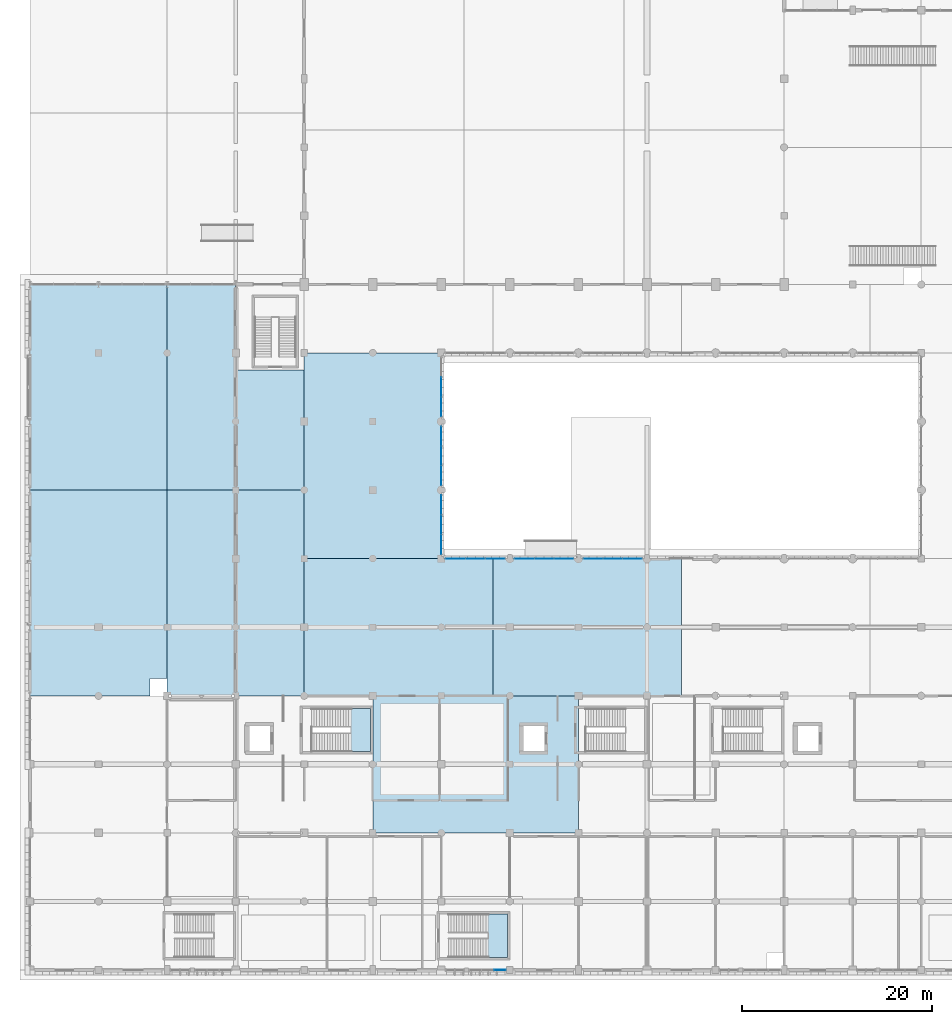
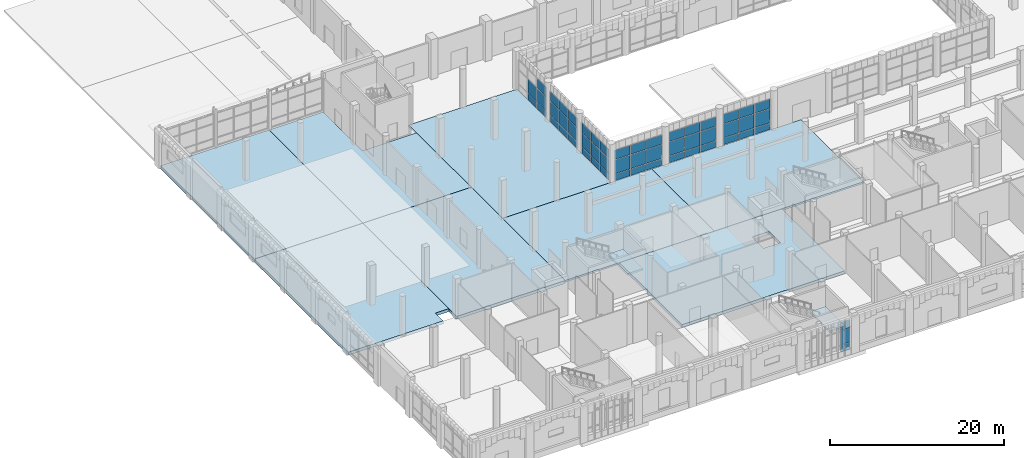
# One storey, part 38 of 85: 53 plates, 10 slabs, 9 elements without a shape of their own.
"""IFC4 building model written with IfcOpenShell, lengths in metres."""

import ifcopenshell
import ifcopenshell.guid

model = None  # the IFC model being written
_history = None  # IfcOwnerHistory: only IFC2X3 demands one
_inside = {}  # id of a spatial element -> (the spatial element, [elements in it])
_under = {}  # id of a project, library or spatial element -> (it, [spatial elements below it])
_declared = {}  # id of a project -> (the project, [libraries it declares])
_typed = {}  # id of a type object -> (the type object, [elements of that type])
_made_of = {}  # id of a material, layer set ... -> (it, [elements and type objects made of it])


def new_model(schema):
    """Start an empty IFC model of exactly this schema.

    Asked for "IFC4X3", IfcOpenShell would pick the latest addendum, in which some entities
    have other attributes; the version numbers below select the first issue.
    IFC2X3 requires an IfcOwnerHistory on every rooted entity: one is made here for all.
    """
    global model, _history
    if schema == "IFC4X3":
        model = ifcopenshell.file(schema_version=(4, 3, 0, 0))
    else:
        model = ifcopenshell.file(schema=schema)
    _inside.clear()
    _under.clear()
    _declared.clear()
    _typed.clear()
    _made_of.clear()
    _history = None
    if model.schema == "IFC2X3":
        org = make("IfcOrganization", Name="unknown")
        user = make(
            "IfcPersonAndOrganization",
            ThePerson=make("IfcPerson", FamilyName="unknown"),
            TheOrganization=org,
        )
        app = make(
            "IfcApplication",
            ApplicationDeveloper=org,
            Version="unknown",
            ApplicationFullName="unknown",
            ApplicationIdentifier="unknown",
        )
        _history = make(
            "IfcOwnerHistory",
            OwningUser=user,
            OwningApplication=app,
            ChangeAction="ADDED",
            CreationDate=0,
        )
    return model


def make(cls, **values):
    """One entity of the class cls with the attributes given. An attribute that is None is left unset."""
    return model.create_entity(
        cls, **{name: value for name, value in values.items() if value is not None}
    )


def rooted(cls, **values):
    """An entity with a GlobalId (a new one), such as an element, a storey or a relation."""
    return make(cls, GlobalId=ifcopenshell.guid.new(), OwnerHistory=_history, **values)


def si_unit(unit_type, name, prefix=None):
    """IfcSIUnit, for example si_unit("LENGTHUNIT", "METRE", prefix="MILLI")."""
    return make("IfcSIUnit", UnitType=unit_type, Prefix=prefix, Name=name)


def assignment(units):
    """IfcUnitAssignment: the units of a project."""
    return None if units is None else make("IfcUnitAssignment", Units=units)


def point(xyz):
    """IfcCartesianPoint."""
    return None if xyz is None else make("IfcCartesianPoint", Coordinates=xyz)


def direction(xyz):
    """IfcDirection."""
    return None if xyz is None else make("IfcDirection", DirectionRatios=xyz)


def frame(location, z_axis=None, x_axis=None):
    """IfcAxis2Placement3D, a coordinate frame: its origin and axes. An axis left out is left unset."""
    return make(
        "IfcAxis2Placement3D",
        Location=point(location),
        Axis=direction(z_axis),
        RefDirection=direction(x_axis),
    )


def frame_2d(location, x_axis=None):
    """IfcAxis2Placement2D, a coordinate frame in the plane: its origin and x axis."""
    return make(
        "IfcAxis2Placement2D", Location=point(location), RefDirection=direction(x_axis)
    )


def origin():
    """The frame at (0, 0, 0) with its axes left unset."""
    return frame((0.0, 0.0, 0.0))


def origin_2d():
    """The frame at (0, 0) in the plane with its x axis left unset."""
    return frame_2d((0.0, 0.0))


def place(relative_to, where):
    """IfcLocalPlacement: puts the frame where relative to a parent placement (None: the world)."""
    return make(
        "IfcLocalPlacement", PlacementRelTo=relative_to, RelativePlacement=where
    )


def context(
    kind, dimensions, precision=None, world=None, true_north=None, identifier=None
):
    """IfcGeometricRepresentationContext, for example the 3D "Model" context."""
    return make(
        "IfcGeometricRepresentationContext",
        ContextIdentifier=identifier,
        ContextType=kind,
        CoordinateSpaceDimension=dimensions,
        Precision=precision,
        WorldCoordinateSystem=world,
        TrueNorth=true_north,
    )


def subcontext(parent, identifier, kind, view, scale=None):
    """IfcGeometricRepresentationSubContext, for example "Body" below "Model"."""
    return make(
        "IfcGeometricRepresentationSubContext",
        ContextIdentifier=identifier,
        ContextType=kind,
        ParentContext=parent,
        TargetScale=scale,
        TargetView=view,
    )


def project(units=None, contexts=None):
    """IfcProject with its units and contexts."""
    return rooted(
        "IfcProject",
        Name="project",
        RepresentationContexts=contexts,
        UnitsInContext=assignment(units),
    )


def spatial(cls, under=None, at=None, **own):
    """A site, building, storey or space (cls), placed at a placement, below another one or the project."""
    s = rooted(cls, ObjectPlacement=at, **own)
    if under is not None:
        _under.setdefault(under.id(), (under, []))[1].append(s)
    return s


def polyline(points):
    """IfcPolyline through the points."""
    return make("IfcPolyline", Points=[point(p) for p in points])


def profile(cls, at=None, kind="AREA", **sizes):
    """A parametric profile (cls). Its sizes go by their IFC names, for example OverallWidth=200.0."""
    return make(cls, ProfileType=kind, Position=at, **sizes)


def rectangle(**sizes):
    """IfcRectangleProfileDef."""
    return profile("IfcRectangleProfileDef", **sizes)


def outline(outer, holes=None, kind="AREA"):
    """IfcArbitraryClosedProfileDef: a profile drawn as a closed curve; with holes, ...WithVoids."""
    if holes is None:
        return make("IfcArbitraryClosedProfileDef", ProfileType=kind, OuterCurve=outer)
    return make(
        "IfcArbitraryProfileDefWithVoids",
        ProfileType=kind,
        OuterCurve=outer,
        InnerCurves=holes,
    )


def extrude(swept, where, along, depth):
    """IfcExtrudedAreaSolid: the profile swept, set in the frame where, extruded along a direction by depth."""
    return make(
        "IfcExtrudedAreaSolid",
        SweptArea=swept,
        Position=where,
        ExtrudedDirection=direction(along),
        Depth=depth,
    )


def shape(context_of_items, identifier, shape_type, items):
    """IfcShapeRepresentation: the items that make up one representation, for example the "Body"."""
    return make(
        "IfcShapeRepresentation",
        ContextOfItems=context_of_items,
        RepresentationIdentifier=identifier,
        RepresentationType=shape_type,
        Items=items,
    )


def material(Name=None, Category=None):
    """IfcMaterial."""
    return make("IfcMaterial", Name=Name, Category=Category)


def layer(
    of_material, thickness, ventilated=None, Name=None, Category=None, Priority=None
):
    """IfcMaterialLayer: one layer of a wall or slab, of a material (None: an air gap)."""
    return make(
        "IfcMaterialLayer",
        Material=of_material,
        LayerThickness=thickness,
        IsVentilated=ventilated,
        Name=Name,
        Category=Category,
        Priority=Priority,
    )


def layer_set(layers, Name=None):
    """IfcMaterialLayerSet."""
    return make("IfcMaterialLayerSet", MaterialLayers=layers, LayerSetName=Name)


def made_of(thing, what):
    """Note that an element or type object is made of a material, layer set ...; save() writes the relation."""
    if what is not None:
        _made_of.setdefault(what.id(), (what, []))[1].append(thing)
    return thing


def type_object(cls, material=None, **own):
    """A type object (cls), such as IfcWallType, which elements share."""
    return made_of(rooted(cls, **own), material)


def element(
    cls,
    number,
    at=None,
    inside=None,
    cuts=None,
    type_object=None,
    material=None,
    context=None,
    identifier="Body",
    shape_type=None,
    held_by="IfcProductDefinitionShape",
    body=None,
    shapes=None,
    **own,
):
    """One element of the class cls, such as IfcWall. Its Tag is "e" and its number.

    at: its placement. inside: the storey or other place that contains it. cuts: it is an
    opening in that element (IfcRelVoidsElement). A single representation is given by context,
    identifier, shape_type and body (its items); several are given by shapes. held_by: the class
    of the entity that holds the representations. save() writes the other relations.
    """
    e = rooted(cls, Tag="e%d" % number, ObjectPlacement=at, **own)
    if body is not None:
        shapes = [shape(context, identifier, shape_type, body)]
    if shapes is not None:
        e.Representation = make(held_by, Representations=shapes)
    if inside is not None:
        _inside.setdefault(inside.id(), (inside, []))[1].append(e)
    if cuts is not None:
        rooted(
            "IfcRelVoidsElement", RelatingBuildingElement=cuts, RelatedOpeningElement=e
        )
    if type_object is not None:
        _typed.setdefault(type_object.id(), (type_object, []))[1].append(e)
    return made_of(e, material)


def aggregate(whole, parts):
    """IfcRelAggregates: a whole, such as a stair, and the parts it consists of."""
    return rooted("IfcRelAggregates", RelatingObject=whole, RelatedObjects=parts)


def save(model, path):
    """Write the relations noted so far, then the file.

    IfcRelAggregates (storeys below a building ...), IfcRelContainedInSpatialStructure (elements
    in a storey), IfcRelDefinesByType, IfcRelAssociatesMaterial and IfcRelDeclares: one each for
    every whole, place, type object, material and project.
    """
    for whole, parts in _under.values():
        aggregate(whole, parts)
    for where, things in _inside.values():
        rooted(
            "IfcRelContainedInSpatialStructure",
            RelatedElements=things,
            RelatingStructure=where,
        )
    for kind, things in _typed.values():
        rooted("IfcRelDefinesByType", RelatedObjects=things, RelatingType=kind)
    for what, things in _made_of.values():
        rooted("IfcRelAssociatesMaterial", RelatedObjects=things, RelatingMaterial=what)
    for by, libraries in _declared.values():
        rooted("IfcRelDeclares", RelatingContext=by, RelatedDefinitions=libraries)
    model.write(path)


model = new_model("IFC4")

# Units and contexts
model_context = context("Model", 3, precision=1e-05, world=origin(), true_north=direction((0.0, 1.0)))
body_context = subcontext(model_context, "Body", "Model", "MODEL_VIEW")
ifc_project = project(units=[si_unit("LENGTHUNIT", "METRE"), si_unit("AREAUNIT", "SQUARE_METRE"), si_unit("VOLUMEUNIT", "CUBIC_METRE"), si_unit("PLANEANGLEUNIT", "RADIAN"), si_unit("MASSUNIT", "GRAM", prefix="KILO")], contexts=[model_context])

# Site, building, storey
site_placement = place(None, origin())
site = spatial("IfcSite", under=ifc_project, at=site_placement, CompositionType="ELEMENT")
building_placement = place(site_placement, origin())
building = spatial("IfcBuilding", under=site, at=building_placement, Name="Sardonyx Promenade Sports Hall", CompositionType="ELEMENT")
storey_placement = place(building_placement, origin())
storey = spatial("IfcBuildingStorey", under=building, at=storey_placement, Name="L00", CompositionType="ELEMENT", Elevation=0.0)

# Curtain wall, plates
ifc_material_1 = material(Name="Aluminium 6063-T6", Category="aluminium")
curtain_wall_type_1 = type_object("IfcCurtainWallType", Name="CW_South_L00_640", PredefinedType="USERDEFINED", material=ifc_material_1)
curtain_wall_1_placement = place(storey_placement, origin())
curtain_wall_1 = element("IfcCurtainWall", 1, at=curtain_wall_1_placement, inside=storey, type_object=curtain_wall_type_1, Name="Curtain wall CW11 cw:L00:013", ObjectType="CURTAIN WALL", PredefinedType="USERDEFINED")
ifc_material_2 = material(Name="Double-glazed acoustic IGU 32 mm", Category="glass")
ifc_layer_1 = layer(ifc_material_2, 0.031982421875)
ifc_layer_set_1 = layer_set([ifc_layer_1], Name="CW_Pan_Glz_32")
plate_type = type_object("IfcPlateType", Name="CW_Pan_Glz_32", PredefinedType="CURTAIN_PANEL", material=ifc_layer_set_1)
plate_1_placement = place(storey_placement, frame((49.350830078125, 0.0, 0.419921875), z_axis=(0.0, 0.0, 1.0), x_axis=(-1.0, 0.0, 0.0)))
plate_1 = element("IfcPlate", 2, at=plate_1_placement, type_object=plate_type, Name="Curtain panel CP02 cw:L00:013 #1", PredefinedType="CURTAIN_PANEL", context=body_context, shape_type="SweptSolid", body=[
    extrude(rectangle(XDim=1.21826171875, YDim=0.031982421875, at=origin_2d()), origin(), (0.0, 0.0, 1.0), 0.945068359375),
])
plate_2_placement = place(storey_placement, frame((49.350830078125, 0.0, 1.43505859375), z_axis=(0.0, 0.0, 1.0), x_axis=(-1.0, 0.0, 0.0)))
plate_2 = element("IfcPlate", 3, at=plate_2_placement, type_object=plate_type, Name="Curtain panel CP02 cw:L00:013 #2", PredefinedType="CURTAIN_PANEL", context=body_context, shape_type="SweptSolid", body=[
    extrude(rectangle(XDim=1.21826171875, YDim=0.031982421875, at=origin_2d()), origin(), (0.0, 0.0, 1.0), 1.929931640625),
])
plate_3_placement = place(storey_placement, frame((49.350830078125, 0.0, 3.43505859375), z_axis=(0.0, 0.0, 1.0), x_axis=(-1.0, 0.0, 0.0)))
plate_3 = element("IfcPlate", 4, at=plate_3_placement, type_object=plate_type, Name="Curtain panel CP02 cw:L00:013 #3", PredefinedType="CURTAIN_PANEL", context=body_context, shape_type="SweptSolid", body=[
    extrude(rectangle(XDim=1.21826171875, YDim=0.031982421875, at=origin_2d()), origin(), (0.0, 0.0, 1.0), 1.14501953125),
])
aggregate(curtain_wall_1, [plate_1, plate_2, plate_3])

ifc_material_3 = material(Name="Aluminium 6063-T6", Category="aluminium")
curtain_wall_type_2 = type_object("IfcCurtainWallType", Name="CW_Riwaq_L00_640", PredefinedType="USERDEFINED", material=ifc_material_3)
curtain_wall_2_placement = place(storey_placement, origin())
curtain_wall_2 = element("IfcCurtainWall", 5, at=curtain_wall_2_placement, inside=storey, type_object=curtain_wall_type_2, Name="Curtain wall CW17 cw:L00:108", ObjectType="CURTAIN WALL", PredefinedType="USERDEFINED")
plate_4_placement = place(storey_placement, frame((44.693359375, 43.199951171875, 0.06494140625), z_axis=(0.0, 0.0, 1.0), x_axis=(1.0, 0.0, 0.0)))
plate_4 = element("IfcPlate", 6, at=plate_4_placement, type_object=plate_type, Name="Curtain panel CP02 cw:L00:108 #1", PredefinedType="CURTAIN_PANEL", context=body_context, shape_type="SweptSolid", body=[
    extrude(rectangle(XDim=2.0166015625, YDim=0.031982421875, at=origin_2d()), origin(), (0.0, 0.0, 1.0), 0.902587890625),
])
plate_5_placement = place(storey_placement, frame((44.693359375, 43.199951171875, 1.032470703125), z_axis=(0.0, 0.0, 1.0), x_axis=(1.0, 0.0, 0.0)))
plate_5 = element("IfcPlate", 7, at=plate_5_placement, type_object=plate_type, Name="Curtain panel CP02 cw:L00:108 #2", PredefinedType="CURTAIN_PANEL", context=body_context, shape_type="SweptSolid", body=[
    extrude(rectangle(XDim=2.0166015625, YDim=0.031982421875, at=origin_2d()), origin(), (0.0, 0.0, 1.0), 1.93505859375),
])
plate_6_placement = place(storey_placement, frame((44.693359375, 43.199951171875, 3.03271484375), z_axis=(0.0, 0.0, 1.0), x_axis=(1.0, 0.0, 0.0)))
plate_6 = element("IfcPlate", 8, at=plate_6_placement, type_object=plate_type, Name="Curtain panel CP02 cw:L00:108 #3", PredefinedType="CURTAIN_PANEL", context=body_context, shape_type="SweptSolid", body=[
    extrude(rectangle(XDim=2.0166015625, YDim=0.031982421875, at=origin_2d()), origin(), (0.0, 0.0, 1.0), 1.302490234375),
])
plate_7_placement = place(storey_placement, frame((46.77490234375, 43.199951171875, 0.06494140625), z_axis=(0.0, 0.0, 1.0), x_axis=(1.0, 0.0, 0.0)))
plate_7 = element("IfcPlate", 9, at=plate_7_placement, type_object=plate_type, Name="Curtain panel CP02 cw:L00:108 #4", PredefinedType="CURTAIN_PANEL", context=body_context, shape_type="SweptSolid", body=[
    extrude(rectangle(XDim=2.0166015625, YDim=0.031982421875, at=origin_2d()), origin(), (0.0, 0.0, 1.0), 0.902587890625),
])
plate_8_placement = place(storey_placement, frame((46.77490234375, 43.199951171875, 1.032470703125), z_axis=(0.0, 0.0, 1.0), x_axis=(1.0, 0.0, 0.0)))
plate_8 = element("IfcPlate", 10, at=plate_8_placement, type_object=plate_type, Name="Curtain panel CP02 cw:L00:108 #5", PredefinedType="CURTAIN_PANEL", context=body_context, shape_type="SweptSolid", body=[
    extrude(rectangle(XDim=2.0166015625, YDim=0.031982421875, at=origin_2d()), origin(), (0.0, 0.0, 1.0), 1.93505859375),
])
plate_9_placement = place(storey_placement, frame((46.77490234375, 43.199951171875, 3.03271484375), z_axis=(0.0, 0.0, 1.0), x_axis=(1.0, 0.0, 0.0)))
plate_9 = element("IfcPlate", 11, at=plate_9_placement, type_object=plate_type, Name="Curtain panel CP02 cw:L00:108 #6", PredefinedType="CURTAIN_PANEL", context=body_context, shape_type="SweptSolid", body=[
    extrude(rectangle(XDim=2.0166015625, YDim=0.031982421875, at=origin_2d()), origin(), (0.0, 0.0, 1.0), 1.302490234375),
])
plate_10_placement = place(storey_placement, frame((48.856689453125, 43.199951171875, 0.06494140625), z_axis=(0.0, 0.0, 1.0), x_axis=(1.0, 0.0, 0.0)))
plate_10 = element("IfcPlate", 12, at=plate_10_placement, type_object=plate_type, Name="Curtain panel CP02 cw:L00:108 #7", PredefinedType="CURTAIN_PANEL", context=body_context, shape_type="SweptSolid", body=[
    extrude(rectangle(XDim=2.0166015625, YDim=0.031982421875, at=origin_2d()), origin(), (0.0, 0.0, 1.0), 0.902587890625),
])
plate_11_placement = place(storey_placement, frame((48.856689453125, 43.199951171875, 1.032470703125), z_axis=(0.0, 0.0, 1.0), x_axis=(1.0, 0.0, 0.0)))
plate_11 = element("IfcPlate", 13, at=plate_11_placement, type_object=plate_type, Name="Curtain panel CP02 cw:L00:108 #8", PredefinedType="CURTAIN_PANEL", context=body_context, shape_type="SweptSolid", body=[
    extrude(rectangle(XDim=2.0166015625, YDim=0.031982421875, at=origin_2d()), origin(), (0.0, 0.0, 1.0), 1.93505859375),
])
plate_12_placement = place(storey_placement, frame((48.856689453125, 43.199951171875, 3.03271484375), z_axis=(0.0, 0.0, 1.0), x_axis=(1.0, 0.0, 0.0)))
plate_12 = element("IfcPlate", 14, at=plate_12_placement, type_object=plate_type, Name="Curtain panel CP02 cw:L00:108 #9", PredefinedType="CURTAIN_PANEL", context=body_context, shape_type="SweptSolid", body=[
    extrude(rectangle(XDim=2.0166015625, YDim=0.031982421875, at=origin_2d()), origin(), (0.0, 0.0, 1.0), 1.302490234375),
])
aggregate(curtain_wall_2, [plate_4, plate_5, plate_6, plate_7, plate_8, plate_9, plate_10, plate_11, plate_12])

curtain_wall_3_placement = place(storey_placement, origin())
curtain_wall_3 = element("IfcCurtainWall", 15, at=curtain_wall_3_placement, inside=storey, type_object=curtain_wall_type_2, Name="Curtain wall CW17 cw:L00:110", ObjectType="CURTAIN WALL", PredefinedType="USERDEFINED")
plate_13_placement = place(storey_placement, frame((51.93505859375, 43.199951171875, 0.06494140625), z_axis=(0.0, 0.0, 1.0), x_axis=(1.0, 0.0, 0.0)))
plate_13 = element("IfcPlate", 16, at=plate_13_placement, type_object=plate_type, Name="Curtain panel CP02 cw:L00:110 #1", PredefinedType="CURTAIN_PANEL", context=body_context, shape_type="SweptSolid", body=[
    extrude(rectangle(XDim=2.0, YDim=0.031982421875, at=origin_2d()), origin(), (0.0, 0.0, 1.0), 0.902587890625),
])
plate_14_placement = place(storey_placement, frame((51.93505859375, 43.199951171875, 1.032470703125), z_axis=(0.0, 0.0, 1.0), x_axis=(1.0, 0.0, 0.0)))
plate_14 = element("IfcPlate", 17, at=plate_14_placement, type_object=plate_type, Name="Curtain panel CP02 cw:L00:110 #2", PredefinedType="CURTAIN_PANEL", context=body_context, shape_type="SweptSolid", body=[
    extrude(rectangle(XDim=2.0, YDim=0.031982421875, at=origin_2d()), origin(), (0.0, 0.0, 1.0), 1.93505859375),
])
plate_15_placement = place(storey_placement, frame((51.93505859375, 43.199951171875, 3.03271484375), z_axis=(0.0, 0.0, 1.0), x_axis=(1.0, 0.0, 0.0)))
plate_15 = element("IfcPlate", 18, at=plate_15_placement, type_object=plate_type, Name="Curtain panel CP02 cw:L00:110 #3", PredefinedType="CURTAIN_PANEL", context=body_context, shape_type="SweptSolid", body=[
    extrude(rectangle(XDim=2.0, YDim=0.031982421875, at=origin_2d()), origin(), (0.0, 0.0, 1.0), 1.302490234375),
])
plate_16_placement = place(storey_placement, frame((54.0, 43.199951171875, 0.06494140625), z_axis=(0.0, 0.0, 1.0), x_axis=(1.0, 0.0, 0.0)))
plate_16 = element("IfcPlate", 19, at=plate_16_placement, type_object=plate_type, Name="Curtain panel CP02 cw:L00:110 #4", PredefinedType="CURTAIN_PANEL", context=body_context, shape_type="SweptSolid", body=[
    extrude(rectangle(XDim=2.0, YDim=0.031982421875, at=origin_2d()), origin(), (0.0, 0.0, 1.0), 0.902587890625),
])
plate_17_placement = place(storey_placement, frame((54.0, 43.199951171875, 1.032470703125), z_axis=(0.0, 0.0, 1.0), x_axis=(1.0, 0.0, 0.0)))
plate_17 = element("IfcPlate", 20, at=plate_17_placement, type_object=plate_type, Name="Curtain panel CP02 cw:L00:110 #5", PredefinedType="CURTAIN_PANEL", context=body_context, shape_type="SweptSolid", body=[
    extrude(rectangle(XDim=2.0, YDim=0.031982421875, at=origin_2d()), origin(), (0.0, 0.0, 1.0), 1.93505859375),
])
plate_18_placement = place(storey_placement, frame((54.0, 43.199951171875, 3.03271484375), z_axis=(0.0, 0.0, 1.0), x_axis=(1.0, 0.0, 0.0)))
plate_18 = element("IfcPlate", 21, at=plate_18_placement, type_object=plate_type, Name="Curtain panel CP02 cw:L00:110 #6", PredefinedType="CURTAIN_PANEL", context=body_context, shape_type="SweptSolid", body=[
    extrude(rectangle(XDim=2.0, YDim=0.031982421875, at=origin_2d()), origin(), (0.0, 0.0, 1.0), 1.302490234375),
])
plate_19_placement = place(storey_placement, frame((56.06494140625, 43.199951171875, 0.06494140625), z_axis=(0.0, 0.0, 1.0), x_axis=(1.0, 0.0, 0.0)))
plate_19 = element("IfcPlate", 22, at=plate_19_placement, type_object=plate_type, Name="Curtain panel CP02 cw:L00:110 #7", PredefinedType="CURTAIN_PANEL", context=body_context, shape_type="SweptSolid", body=[
    extrude(rectangle(XDim=2.0, YDim=0.031982421875, at=origin_2d()), origin(), (0.0, 0.0, 1.0), 0.902587890625),
])
plate_20_placement = place(storey_placement, frame((56.06494140625, 43.199951171875, 1.032470703125), z_axis=(0.0, 0.0, 1.0), x_axis=(1.0, 0.0, 0.0)))
plate_20 = element("IfcPlate", 23, at=plate_20_placement, type_object=plate_type, Name="Curtain panel CP02 cw:L00:110 #8", PredefinedType="CURTAIN_PANEL", context=body_context, shape_type="SweptSolid", body=[
    extrude(rectangle(XDim=2.0, YDim=0.031982421875, at=origin_2d()), origin(), (0.0, 0.0, 1.0), 1.93505859375),
])
plate_21_placement = place(storey_placement, frame((56.06494140625, 43.199951171875, 3.03271484375), z_axis=(0.0, 0.0, 1.0), x_axis=(1.0, 0.0, 0.0)))
plate_21 = element("IfcPlate", 24, at=plate_21_placement, type_object=plate_type, Name="Curtain panel CP02 cw:L00:110 #9", PredefinedType="CURTAIN_PANEL", context=body_context, shape_type="SweptSolid", body=[
    extrude(rectangle(XDim=2.0, YDim=0.031982421875, at=origin_2d()), origin(), (0.0, 0.0, 1.0), 1.302490234375),
])
aggregate(curtain_wall_3, [plate_13, plate_14, plate_15, plate_16, plate_17, plate_18, plate_19, plate_20, plate_21])

curtain_wall_4_placement = place(storey_placement, origin())
curtain_wall_4 = element("IfcCurtainWall", 25, at=curtain_wall_4_placement, inside=storey, type_object=curtain_wall_type_2, Name="Curtain wall CW17 cw:L00:112", ObjectType="CURTAIN WALL", PredefinedType="USERDEFINED")
plate_22_placement = place(storey_placement, frame((59.135009765625, 43.199951171875, 0.06494140625), z_axis=(0.0, 0.0, 1.0), x_axis=(1.0, 0.0, 0.0)))
plate_22 = element("IfcPlate", 26, at=plate_22_placement, type_object=plate_type, Name="Curtain panel CP02 cw:L00:112 #1", PredefinedType="CURTAIN_PANEL", context=body_context, shape_type="SweptSolid", body=[
    extrude(rectangle(XDim=2.0, YDim=0.031982421875, at=origin_2d()), origin(), (0.0, 0.0, 1.0), 0.902587890625),
])
plate_23_placement = place(storey_placement, frame((59.135009765625, 43.199951171875, 1.032470703125), z_axis=(0.0, 0.0, 1.0), x_axis=(1.0, 0.0, 0.0)))
plate_23 = element("IfcPlate", 27, at=plate_23_placement, type_object=plate_type, Name="Curtain panel CP02 cw:L00:112 #2", PredefinedType="CURTAIN_PANEL", context=body_context, shape_type="SweptSolid", body=[
    extrude(rectangle(XDim=2.0, YDim=0.031982421875, at=origin_2d()), origin(), (0.0, 0.0, 1.0), 1.93505859375),
])
plate_24_placement = place(storey_placement, frame((59.135009765625, 43.199951171875, 3.03271484375), z_axis=(0.0, 0.0, 1.0), x_axis=(1.0, 0.0, 0.0)))
plate_24 = element("IfcPlate", 28, at=plate_24_placement, type_object=plate_type, Name="Curtain panel CP02 cw:L00:112 #3", PredefinedType="CURTAIN_PANEL", context=body_context, shape_type="SweptSolid", body=[
    extrude(rectangle(XDim=2.0, YDim=0.031982421875, at=origin_2d()), origin(), (0.0, 0.0, 1.0), 1.302490234375),
])
plate_25_placement = place(storey_placement, frame((61.199951171875, 43.199951171875, 0.06494140625), z_axis=(0.0, 0.0, 1.0), x_axis=(1.0, 0.0, 0.0)))
plate_25 = element("IfcPlate", 29, at=plate_25_placement, type_object=plate_type, Name="Curtain panel CP02 cw:L00:112 #4", PredefinedType="CURTAIN_PANEL", context=body_context, shape_type="SweptSolid", body=[
    extrude(rectangle(XDim=2.0, YDim=0.031982421875, at=origin_2d()), origin(), (0.0, 0.0, 1.0), 0.902587890625),
])
plate_26_placement = place(storey_placement, frame((61.199951171875, 43.199951171875, 1.032470703125), z_axis=(0.0, 0.0, 1.0), x_axis=(1.0, 0.0, 0.0)))
plate_26 = element("IfcPlate", 30, at=plate_26_placement, type_object=plate_type, Name="Curtain panel CP02 cw:L00:112 #5", PredefinedType="CURTAIN_PANEL", context=body_context, shape_type="SweptSolid", body=[
    extrude(rectangle(XDim=2.0, YDim=0.031982421875, at=origin_2d()), origin(), (0.0, 0.0, 1.0), 1.93505859375),
])
plate_27_placement = place(storey_placement, frame((61.199951171875, 43.199951171875, 3.03271484375), z_axis=(0.0, 0.0, 1.0), x_axis=(1.0, 0.0, 0.0)))
plate_27 = element("IfcPlate", 31, at=plate_27_placement, type_object=plate_type, Name="Curtain panel CP02 cw:L00:112 #6", PredefinedType="CURTAIN_PANEL", context=body_context, shape_type="SweptSolid", body=[
    extrude(rectangle(XDim=2.0, YDim=0.031982421875, at=origin_2d()), origin(), (0.0, 0.0, 1.0), 1.302490234375),
])
plate_28_placement = place(storey_placement, frame((63.264892578125, 43.199951171875, 0.06494140625), z_axis=(0.0, 0.0, 1.0), x_axis=(1.0, 0.0, 0.0)))
plate_28 = element("IfcPlate", 32, at=plate_28_placement, type_object=plate_type, Name="Curtain panel CP02 cw:L00:112 #7", PredefinedType="CURTAIN_PANEL", context=body_context, shape_type="SweptSolid", body=[
    extrude(rectangle(XDim=2.0, YDim=0.031982421875, at=origin_2d()), origin(), (0.0, 0.0, 1.0), 0.902587890625),
])
plate_29_placement = place(storey_placement, frame((63.264892578125, 43.199951171875, 1.032470703125), z_axis=(0.0, 0.0, 1.0), x_axis=(1.0, 0.0, 0.0)))
plate_29 = element("IfcPlate", 33, at=plate_29_placement, type_object=plate_type, Name="Curtain panel CP02 cw:L00:112 #8", PredefinedType="CURTAIN_PANEL", context=body_context, shape_type="SweptSolid", body=[
    extrude(rectangle(XDim=2.0, YDim=0.031982421875, at=origin_2d()), origin(), (0.0, 0.0, 1.0), 1.93505859375),
])
plate_30_placement = place(storey_placement, frame((63.264892578125, 43.199951171875, 3.03271484375), z_axis=(0.0, 0.0, 1.0), x_axis=(1.0, 0.0, 0.0)))
plate_30 = element("IfcPlate", 34, at=plate_30_placement, type_object=plate_type, Name="Curtain panel CP02 cw:L00:112 #9", PredefinedType="CURTAIN_PANEL", context=body_context, shape_type="SweptSolid", body=[
    extrude(rectangle(XDim=2.0, YDim=0.031982421875, at=origin_2d()), origin(), (0.0, 0.0, 1.0), 1.302490234375),
])
aggregate(curtain_wall_4, [plate_22, plate_23, plate_24, plate_25, plate_26, plate_27, plate_28, plate_29, plate_30])

curtain_wall_5_placement = place(storey_placement, origin())
curtain_wall_5 = element("IfcCurtainWall", 35, at=curtain_wall_5_placement, inside=storey, type_object=curtain_wall_type_2, Name="Curtain wall CW17 cw:L00:120", ObjectType="CURTAIN WALL", PredefinedType="USERDEFINED")
plate_31_placement = place(storey_placement, frame((43.199951171875, 48.856689453125, 0.06494140625), z_axis=(0.0, 0.0, 1.0), x_axis=(0.0, -1.0, 0.0)))
plate_31 = element("IfcPlate", 36, at=plate_31_placement, type_object=plate_type, Name="Curtain panel CP02 cw:L00:120 #1", PredefinedType="CURTAIN_PANEL", context=body_context, shape_type="SweptSolid", body=[
    extrude(rectangle(XDim=2.0166015625, YDim=0.031982421875, at=origin_2d()), origin(), (0.0, 0.0, 1.0), 0.902587890625),
])
plate_32_placement = place(storey_placement, frame((43.199951171875, 48.856689453125, 1.032470703125), z_axis=(0.0, 0.0, 1.0), x_axis=(0.0, -1.0, 0.0)))
plate_32 = element("IfcPlate", 37, at=plate_32_placement, type_object=plate_type, Name="Curtain panel CP02 cw:L00:120 #2", PredefinedType="CURTAIN_PANEL", context=body_context, shape_type="SweptSolid", body=[
    extrude(rectangle(XDim=2.0166015625, YDim=0.031982421875, at=origin_2d()), origin(), (0.0, 0.0, 1.0), 1.93505859375),
])
plate_33_placement = place(storey_placement, frame((43.199951171875, 48.856689453125, 3.03271484375), z_axis=(0.0, 0.0, 1.0), x_axis=(0.0, -1.0, 0.0)))
plate_33 = element("IfcPlate", 38, at=plate_33_placement, type_object=plate_type, Name="Curtain panel CP02 cw:L00:120 #3", PredefinedType="CURTAIN_PANEL", context=body_context, shape_type="SweptSolid", body=[
    extrude(rectangle(XDim=2.0166015625, YDim=0.031982421875, at=origin_2d()), origin(), (0.0, 0.0, 1.0), 1.302490234375),
])
plate_34_placement = place(storey_placement, frame((43.199951171875, 46.77490234375, 0.06494140625), z_axis=(0.0, 0.0, 1.0), x_axis=(0.0, -1.0, 0.0)))
plate_34 = element("IfcPlate", 39, at=plate_34_placement, type_object=plate_type, Name="Curtain panel CP02 cw:L00:120 #4", PredefinedType="CURTAIN_PANEL", context=body_context, shape_type="SweptSolid", body=[
    extrude(rectangle(XDim=2.0166015625, YDim=0.031982421875, at=origin_2d()), origin(), (0.0, 0.0, 1.0), 0.902587890625),
])
plate_35_placement = place(storey_placement, frame((43.199951171875, 46.77490234375, 1.032470703125), z_axis=(0.0, 0.0, 1.0), x_axis=(0.0, -1.0, 0.0)))
plate_35 = element("IfcPlate", 40, at=plate_35_placement, type_object=plate_type, Name="Curtain panel CP02 cw:L00:120 #5", PredefinedType="CURTAIN_PANEL", context=body_context, shape_type="SweptSolid", body=[
    extrude(rectangle(XDim=2.0166015625, YDim=0.031982421875, at=origin_2d()), origin(), (0.0, 0.0, 1.0), 1.93505859375),
])
plate_36_placement = place(storey_placement, frame((43.199951171875, 46.77490234375, 3.03271484375), z_axis=(0.0, 0.0, 1.0), x_axis=(0.0, -1.0, 0.0)))
plate_36 = element("IfcPlate", 41, at=plate_36_placement, type_object=plate_type, Name="Curtain panel CP02 cw:L00:120 #6", PredefinedType="CURTAIN_PANEL", context=body_context, shape_type="SweptSolid", body=[
    extrude(rectangle(XDim=2.0166015625, YDim=0.031982421875, at=origin_2d()), origin(), (0.0, 0.0, 1.0), 1.302490234375),
])
plate_37_placement = place(storey_placement, frame((43.199951171875, 44.693359375, 0.06494140625), z_axis=(0.0, 0.0, 1.0), x_axis=(0.0, -1.0, 0.0)))
plate_37 = element("IfcPlate", 42, at=plate_37_placement, type_object=plate_type, Name="Curtain panel CP02 cw:L00:120 #7", PredefinedType="CURTAIN_PANEL", context=body_context, shape_type="SweptSolid", body=[
    extrude(rectangle(XDim=2.0166015625, YDim=0.031982421875, at=origin_2d()), origin(), (0.0, 0.0, 1.0), 0.902587890625),
])
plate_38_placement = place(storey_placement, frame((43.199951171875, 44.693359375, 1.032470703125), z_axis=(0.0, 0.0, 1.0), x_axis=(0.0, -1.0, 0.0)))
plate_38 = element("IfcPlate", 43, at=plate_38_placement, type_object=plate_type, Name="Curtain panel CP02 cw:L00:120 #8", PredefinedType="CURTAIN_PANEL", context=body_context, shape_type="SweptSolid", body=[
    extrude(rectangle(XDim=2.0166015625, YDim=0.031982421875, at=origin_2d()), origin(), (0.0, 0.0, 1.0), 1.93505859375),
])
plate_39_placement = place(storey_placement, frame((43.199951171875, 44.693359375, 3.03271484375), z_axis=(0.0, 0.0, 1.0), x_axis=(0.0, -1.0, 0.0)))
plate_39 = element("IfcPlate", 44, at=plate_39_placement, type_object=plate_type, Name="Curtain panel CP02 cw:L00:120 #9", PredefinedType="CURTAIN_PANEL", context=body_context, shape_type="SweptSolid", body=[
    extrude(rectangle(XDim=2.0166015625, YDim=0.031982421875, at=origin_2d()), origin(), (0.0, 0.0, 1.0), 1.302490234375),
])
aggregate(curtain_wall_5, [plate_31, plate_32, plate_33, plate_34, plate_35, plate_36, plate_37, plate_38, plate_39])

curtain_wall_6_placement = place(storey_placement, origin())
curtain_wall_6 = element("IfcCurtainWall", 45, at=curtain_wall_6_placement, inside=storey, type_object=curtain_wall_type_2, Name="Curtain wall CW17 cw:L00:122", ObjectType="CURTAIN WALL", PredefinedType="USERDEFINED")
plate_40_placement = place(storey_placement, frame((43.199951171875, 56.06494140625, 0.06494140625), z_axis=(0.0, 0.0, 1.0), x_axis=(0.0, -1.0, 0.0)))
plate_40 = element("IfcPlate", 46, at=plate_40_placement, type_object=plate_type, Name="Curtain panel CP02 cw:L00:122 #1", PredefinedType="CURTAIN_PANEL", context=body_context, shape_type="SweptSolid", body=[
    extrude(rectangle(XDim=2.0, YDim=0.031982421875, at=origin_2d()), origin(), (0.0, 0.0, 1.0), 0.902587890625),
])
plate_41_placement = place(storey_placement, frame((43.199951171875, 56.06494140625, 1.032470703125), z_axis=(0.0, 0.0, 1.0), x_axis=(0.0, -1.0, 0.0)))
plate_41 = element("IfcPlate", 47, at=plate_41_placement, type_object=plate_type, Name="Curtain panel CP02 cw:L00:122 #2", PredefinedType="CURTAIN_PANEL", context=body_context, shape_type="SweptSolid", body=[
    extrude(rectangle(XDim=2.0, YDim=0.031982421875, at=origin_2d()), origin(), (0.0, 0.0, 1.0), 1.93505859375),
])
plate_42_placement = place(storey_placement, frame((43.199951171875, 56.06494140625, 3.03271484375), z_axis=(0.0, 0.0, 1.0), x_axis=(0.0, -1.0, 0.0)))
plate_42 = element("IfcPlate", 48, at=plate_42_placement, type_object=plate_type, Name="Curtain panel CP02 cw:L00:122 #3", PredefinedType="CURTAIN_PANEL", context=body_context, shape_type="SweptSolid", body=[
    extrude(rectangle(XDim=2.0, YDim=0.031982421875, at=origin_2d()), origin(), (0.0, 0.0, 1.0), 1.302490234375),
])
plate_43_placement = place(storey_placement, frame((43.199951171875, 54.0, 0.06494140625), z_axis=(0.0, 0.0, 1.0), x_axis=(0.0, -1.0, 0.0)))
plate_43 = element("IfcPlate", 49, at=plate_43_placement, type_object=plate_type, Name="Curtain panel CP02 cw:L00:122 #4", PredefinedType="CURTAIN_PANEL", context=body_context, shape_type="SweptSolid", body=[
    extrude(rectangle(XDim=2.0, YDim=0.031982421875, at=origin_2d()), origin(), (0.0, 0.0, 1.0), 0.902587890625),
])
plate_44_placement = place(storey_placement, frame((43.199951171875, 54.0, 1.032470703125), z_axis=(0.0, 0.0, 1.0), x_axis=(0.0, -1.0, 0.0)))
plate_44 = element("IfcPlate", 50, at=plate_44_placement, type_object=plate_type, Name="Curtain panel CP02 cw:L00:122 #5", PredefinedType="CURTAIN_PANEL", context=body_context, shape_type="SweptSolid", body=[
    extrude(rectangle(XDim=2.0, YDim=0.031982421875, at=origin_2d()), origin(), (0.0, 0.0, 1.0), 1.93505859375),
])
plate_45_placement = place(storey_placement, frame((43.199951171875, 54.0, 3.03271484375), z_axis=(0.0, 0.0, 1.0), x_axis=(0.0, -1.0, 0.0)))
plate_45 = element("IfcPlate", 51, at=plate_45_placement, type_object=plate_type, Name="Curtain panel CP02 cw:L00:122 #6", PredefinedType="CURTAIN_PANEL", context=body_context, shape_type="SweptSolid", body=[
    extrude(rectangle(XDim=2.0, YDim=0.031982421875, at=origin_2d()), origin(), (0.0, 0.0, 1.0), 1.302490234375),
])
plate_46_placement = place(storey_placement, frame((43.199951171875, 51.93505859375, 0.06494140625), z_axis=(0.0, 0.0, 1.0), x_axis=(0.0, -1.0, 0.0)))
plate_46 = element("IfcPlate", 52, at=plate_46_placement, type_object=plate_type, Name="Curtain panel CP02 cw:L00:122 #7", PredefinedType="CURTAIN_PANEL", context=body_context, shape_type="SweptSolid", body=[
    extrude(rectangle(XDim=2.0, YDim=0.031982421875, at=origin_2d()), origin(), (0.0, 0.0, 1.0), 0.902587890625),
])
plate_47_placement = place(storey_placement, frame((43.199951171875, 51.93505859375, 1.032470703125), z_axis=(0.0, 0.0, 1.0), x_axis=(0.0, -1.0, 0.0)))
plate_47 = element("IfcPlate", 53, at=plate_47_placement, type_object=plate_type, Name="Curtain panel CP02 cw:L00:122 #8", PredefinedType="CURTAIN_PANEL", context=body_context, shape_type="SweptSolid", body=[
    extrude(rectangle(XDim=2.0, YDim=0.031982421875, at=origin_2d()), origin(), (0.0, 0.0, 1.0), 1.93505859375),
])
plate_48_placement = place(storey_placement, frame((43.199951171875, 51.93505859375, 3.03271484375), z_axis=(0.0, 0.0, 1.0), x_axis=(0.0, -1.0, 0.0)))
plate_48 = element("IfcPlate", 54, at=plate_48_placement, type_object=plate_type, Name="Curtain panel CP02 cw:L00:122 #9", PredefinedType="CURTAIN_PANEL", context=body_context, shape_type="SweptSolid", body=[
    extrude(rectangle(XDim=2.0, YDim=0.031982421875, at=origin_2d()), origin(), (0.0, 0.0, 1.0), 1.302490234375),
])
aggregate(curtain_wall_6, [plate_40, plate_41, plate_42, plate_43, plate_44, plate_45, plate_46, plate_47, plate_48])

curtain_wall_7_placement = place(storey_placement, origin())
curtain_wall_7 = element("IfcCurtainWall", 55, at=curtain_wall_7_placement, inside=storey, type_object=curtain_wall_type_2, Name="Curtain wall CW17 cw:L00:124", ObjectType="CURTAIN WALL", PredefinedType="USERDEFINED")
plate_49_placement = place(storey_placement, frame((43.199951171875, 61.22509765625, 0.06494140625), z_axis=(0.0, 0.0, 1.0), x_axis=(0.0, -1.0, 0.0)))
plate_49 = element("IfcPlate", 56, at=plate_49_placement, type_object=plate_type, Name="Curtain panel CP02 cw:L00:124 #4", PredefinedType="CURTAIN_PANEL", context=body_context, shape_type="SweptSolid", body=[
    extrude(rectangle(XDim=2.0166015625, YDim=0.031982421875, at=origin_2d()), origin(), (0.0, 0.0, 1.0), 0.902587890625),
])
plate_50_placement = place(storey_placement, frame((43.199951171875, 61.22509765625, 1.032470703125), z_axis=(0.0, 0.0, 1.0), x_axis=(0.0, -1.0, 0.0)))
plate_50 = element("IfcPlate", 57, at=plate_50_placement, type_object=plate_type, Name="Curtain panel CP02 cw:L00:124 #5", PredefinedType="CURTAIN_PANEL", context=body_context, shape_type="SweptSolid", body=[
    extrude(rectangle(XDim=2.0166015625, YDim=0.031982421875, at=origin_2d()), origin(), (0.0, 0.0, 1.0), 1.93505859375),
])
plate_51_placement = place(storey_placement, frame((43.199951171875, 59.143310546875, 0.06494140625), z_axis=(0.0, 0.0, 1.0), x_axis=(0.0, -1.0, 0.0)))
plate_51 = element("IfcPlate", 58, at=plate_51_placement, type_object=plate_type, Name="Curtain panel CP02 cw:L00:124 #7", PredefinedType="CURTAIN_PANEL", context=body_context, shape_type="SweptSolid", body=[
    extrude(rectangle(XDim=2.0166015625, YDim=0.031982421875, at=origin_2d()), origin(), (0.0, 0.0, 1.0), 0.902587890625),
])
plate_52_placement = place(storey_placement, frame((43.199951171875, 59.143310546875, 1.032470703125), z_axis=(0.0, 0.0, 1.0), x_axis=(0.0, -1.0, 0.0)))
plate_52 = element("IfcPlate", 59, at=plate_52_placement, type_object=plate_type, Name="Curtain panel CP02 cw:L00:124 #8", PredefinedType="CURTAIN_PANEL", context=body_context, shape_type="SweptSolid", body=[
    extrude(rectangle(XDim=2.0166015625, YDim=0.031982421875, at=origin_2d()), origin(), (0.0, 0.0, 1.0), 1.93505859375),
])
plate_53_placement = place(storey_placement, frame((43.199951171875, 59.143310546875, 3.03271484375), z_axis=(0.0, 0.0, 1.0), x_axis=(0.0, -1.0, 0.0)))
plate_53 = element("IfcPlate", 60, at=plate_53_placement, type_object=plate_type, Name="Curtain panel CP02 cw:L00:124 #9", PredefinedType="CURTAIN_PANEL", context=body_context, shape_type="SweptSolid", body=[
    extrude(rectangle(XDim=2.0166015625, YDim=0.031982421875, at=origin_2d()), origin(), (0.0, 0.0, 1.0), 1.302490234375),
])
aggregate(curtain_wall_7, [plate_49, plate_50, plate_51, plate_52, plate_53])

# Stair, slab
ifc_material_4 = material(Name="Concrete C40/50", Category="concrete")
stair_type = type_object("IfcStairType", Name="Stair_Esc_Std_560", PredefinedType="HALF_TURN_STAIR", material=ifc_material_4)
stair_1_placement = place(storey_placement, origin())
stair_1 = element("IfcStair", 61, at=stair_1_placement, inside=storey, type_object=stair_type, Name="Protected escape stair ST1 (L00 to L01)", PredefinedType="HALF_TURN_STAIR")
ifc_material_5 = material(Name="Concrete C40/50", Category="concrete")
ifc_layer_2 = layer(ifc_material_5, 0.260009765625)
ifc_layer_set_2 = layer_set([ifc_layer_2], Name="Land_Stair_260")
slab_type_1 = type_object("IfcSlabType", Name="Land_Stair_260", PredefinedType="LANDING", material=ifc_layer_set_2)
slab_1_placement = place(storey_placement, frame((0.0, 0.0, 2.5400390625)))
slab_1 = element("IfcSlab", 62, at=slab_1_placement, type_object=slab_type_1, Name="Stair half-landing ST1 L00", PredefinedType="LANDING", context=body_context, shape_type="SweptSolid", body=[
    extrude(outline(polyline([(33.68994140625, 22.925048828125), (35.75, 22.925048828125), (35.75, 27.47509765625), (33.68994140625, 27.47509765625), (33.68994140625, 22.925048828125)])), origin(), (0.0, 0.0, 1.0), 0.260009765625),
])
aggregate(stair_1, [slab_1])

stair_2_placement = place(storey_placement, origin())
stair_2 = element("IfcStair", 63, at=stair_2_placement, inside=storey, type_object=stair_type, Name="Protected escape stair ST6 (L00 to L01)", PredefinedType="HALF_TURN_STAIR")
slab_2_placement = place(storey_placement, frame((0.0, 0.0, 2.5400390625)))
slab_2 = element("IfcSlab", 64, at=slab_2_placement, type_object=slab_type_1, Name="Stair half-landing ST6 L00", PredefinedType="LANDING", context=body_context, shape_type="SweptSolid", body=[
    extrude(outline(polyline([(48.090087890625, 1.324951171875), (50.14990234375, 1.324951171875), (50.14990234375, 5.875), (48.090087890625, 5.875), (48.090087890625, 1.324951171875)])), origin(), (0.0, 0.0, 1.0), 0.260009765625),
])
aggregate(stair_2, [slab_2])

# Slabs
ifc_material_6 = material(Name="Concrete C40/50", Category="concrete")
ifc_layer_3 = layer(ifc_material_6, 0.419921875)
ifc_layer_set_3 = layer_set([ifc_layer_3], Name="Slab_Base_L00_350")
slab_type_2 = type_object("IfcSlabType", Name="Slab_Base_L00_350", PredefinedType="BASESLAB", material=ifc_layer_set_3)
slab_3_placement = place(storey_placement, frame((0.0, 0.0, -0.419921875)))
element("IfcSlab", 65, at=slab_3_placement, inside=storey, type_object=slab_type_2, Name="Slab BS02 L00 #47", PredefinedType="BASESLAB", context=body_context, shape_type="SweptSolid", body=[
    extrude(outline(polyline([(0.0, 28.800048828125), (12.60009765625, 28.800048828125), (12.60009765625, 30.60009765625), (14.39990234375, 30.60009765625), (14.39990234375, 50.39990234375), (0.0, 50.39990234375), (0.0, 28.800048828125)])), origin(), (0.0, 0.0, 1.0), 0.419921875),
])
slab_4_placement = place(storey_placement, frame((0.0, 0.0, -0.419921875)))
element("IfcSlab", 66, at=slab_4_placement, inside=storey, type_object=slab_type_2, Name="Slab BS02 L00 #48", PredefinedType="BASESLAB", context=body_context, shape_type="SweptSolid", body=[
    extrude(outline(polyline([(0.0, 50.39990234375), (14.39990234375, 50.39990234375), (14.39990234375, 72.0), (0.0, 72.0), (0.0, 50.39990234375)])), origin(), (0.0, 0.0, 1.0), 0.419921875),
])
slab_5_placement = place(storey_placement, frame((0.0, 0.0, -0.419921875)))
element("IfcSlab", 67, at=slab_5_placement, inside=storey, type_object=slab_type_2, Name="Slab BS02 L00 #49", PredefinedType="BASESLAB", context=body_context, shape_type="SweptSolid", body=[
    extrude(outline(polyline([(14.39990234375, 28.800048828125), (28.800048828125, 28.800048828125), (28.800048828125, 50.39990234375), (14.39990234375, 50.39990234375), (14.39990234375, 28.800048828125)])), origin(), (0.0, 0.0, 1.0), 0.419921875),
])
slab_6_placement = place(storey_placement, frame((0.0, 0.0, -0.419921875)))
element("IfcSlab", 68, at=slab_6_placement, inside=storey, type_object=slab_type_2, Name="Slab BS02 L00 #50", PredefinedType="BASESLAB", context=body_context, shape_type="SweptSolid", body=[
    extrude(outline(polyline([(28.800048828125, 50.39990234375), (28.800048828125, 63.0), (21.60009765625, 63.0), (21.60009765625, 72.0), (14.39990234375, 72.0), (14.39990234375, 50.39990234375), (28.800048828125, 50.39990234375)])), origin(), (0.0, 0.0, 1.0), 0.419921875),
])
slab_7_placement = place(storey_placement, frame((0.0, 0.0, -0.419921875)))
element("IfcSlab", 69, at=slab_7_placement, inside=storey, type_object=slab_type_2, Name="Slab BS02 L00 #58", PredefinedType="BASESLAB", context=body_context, shape_type="SweptSolid", body=[
    extrude(outline(polyline([(36.0, 28.800048828125), (36.0, 14.39990234375), (57.60009765625, 14.39990234375), (57.60009765625, 28.800048828125), (36.0, 28.800048828125)]), holes=[polyline([(51.7900390625, 25.610107421875), (54.010009765625, 25.610107421875), (54.010009765625, 22.989990234375), (51.7900390625, 22.989990234375), (51.7900390625, 25.610107421875)])]), origin(), (0.0, 0.0, 1.0), 0.419921875),
])
ifc_material_7 = material(Name="Concrete C40/50", Category="concrete")
ifc_layer_4 = layer(ifc_material_7, 0.25)
ifc_layer_set_4 = layer_set([ifc_layer_4], Name="Slab_Ext_Apron_180")
slab_type_3 = type_object("IfcSlabType", Name="Slab_Ext_Apron_180", PredefinedType="FLOOR", material=ifc_layer_set_4)
slab_8_placement = place(storey_placement, frame((0.0, 0.0, -0.25)))
element("IfcSlab", 70, at=slab_8_placement, inside=storey, type_object=slab_type_3, Name="Slab TS01 L00 #70", PredefinedType="FLOOR", context=body_context, shape_type="SweptSolid", body=[
    extrude(outline(polyline([(28.800048828125, 28.800048828125), (48.60009765625, 28.800048828125), (48.60009765625, 43.199951171875), (28.800048828125, 43.199951171875), (28.800048828125, 28.800048828125)])), origin(), (0.0, 0.0, 1.0), 0.25),
])
slab_9_placement = place(storey_placement, frame((0.0, 0.0, -0.25)))
element("IfcSlab", 71, at=slab_9_placement, inside=storey, type_object=slab_type_3, Name="Slab TS01 L00 #71", PredefinedType="FLOOR", context=body_context, shape_type="SweptSolid", body=[
    extrude(outline(polyline([(48.60009765625, 28.800048828125), (68.39990234375, 28.800048828125), (68.39990234375, 43.199951171875), (48.60009765625, 43.199951171875), (48.60009765625, 28.800048828125)])), origin(), (0.0, 0.0, 1.0), 0.25),
])
slab_10_placement = place(storey_placement, frame((0.0, 0.0, -0.25)))
element("IfcSlab", 72, at=slab_10_placement, inside=storey, type_object=slab_type_3, Name="Slab TS01 L00 #78", PredefinedType="FLOOR", context=body_context, shape_type="SweptSolid", body=[
    extrude(outline(polyline([(43.199951171875, 64.800048828125), (28.800048828125, 64.800048828125), (28.800048828125, 43.199951171875), (43.199951171875, 43.199951171875), (43.199951171875, 64.800048828125)])), origin(), (0.0, 0.0, 1.0), 0.25),
])

save(model, "model.ifc")
